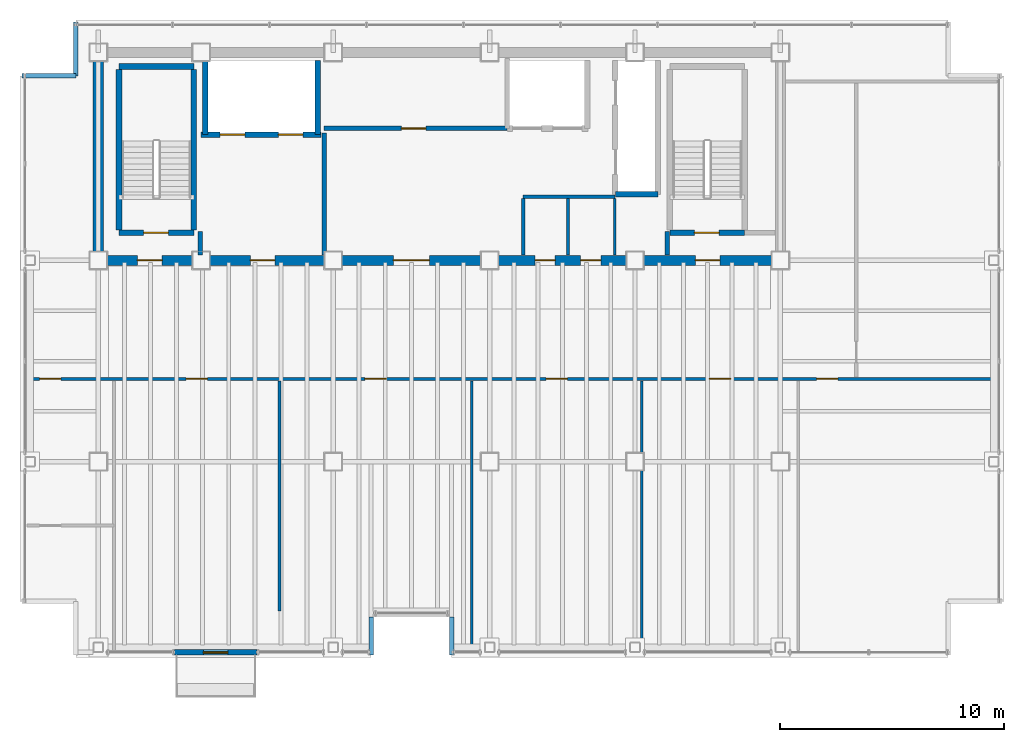
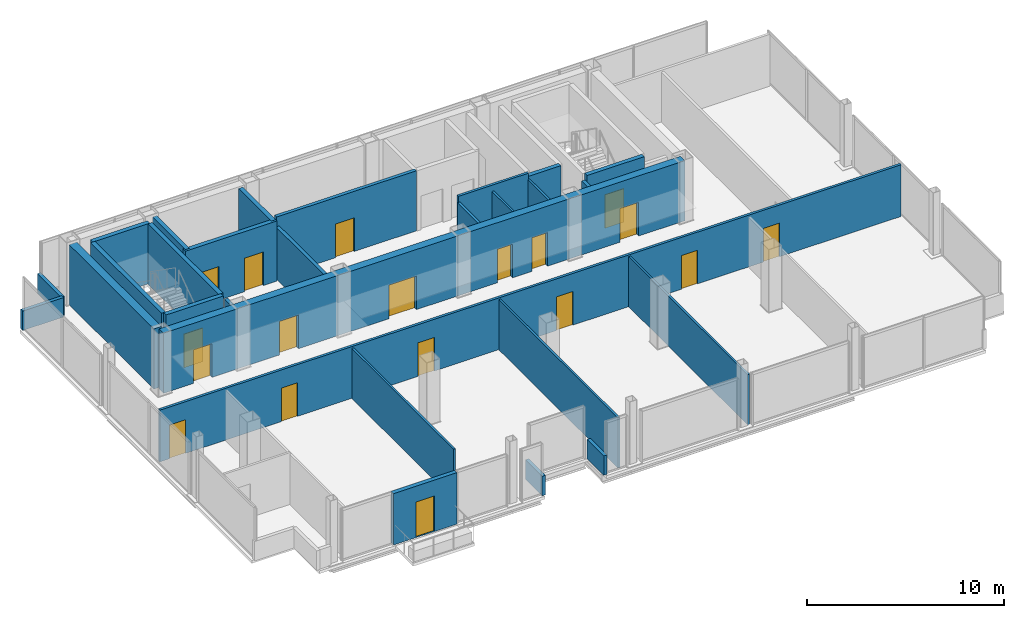
# One storey, part 13 of 15: 28 walls, 18 doors, 18 openings.
"""IFC4 building model written with IfcOpenShell, lengths in metres."""

from ifc_helpers import new_model, si_unit, direction, frame, frame_2d, origin, place, context, subcontext, project, spatial, rectangle, extrude, material, layer, layer_set, type_object, element, fill, save


model = new_model("IFC4")

# Units and contexts
model_context = context("Model", 3, precision=1e-05, world=origin(), true_north=direction((0.0, 1.0)))
body_context = subcontext(model_context, "Body", "Model", "MODEL_VIEW")
ifc_project = project(units=[si_unit("LENGTHUNIT", "METRE"), si_unit("AREAUNIT", "SQUARE_METRE"), si_unit("VOLUMEUNIT", "CUBIC_METRE"), si_unit("PLANEANGLEUNIT", "RADIAN"), si_unit("MASSUNIT", "GRAM", prefix="KILO")], contexts=[model_context])

# Site, building, storey
site_placement = place(None, origin())
site = spatial("IfcSite", under=ifc_project, at=site_placement, CompositionType="ELEMENT")
building_placement = place(site_placement, origin())
building = spatial("IfcBuilding", under=site, at=building_placement, Name="Noeulbin Bourse Tower", CompositionType="ELEMENT")
storey_placement = place(building_placement, frame((0.0, 0.0, 211.10009765625)))
storey = spatial("IfcBuildingStorey", under=building, at=storey_placement, Name="L52", CompositionType="ELEMENT", Elevation=211.10009765625)

# Wall, openings, doors
ifc_material_1 = material(Name="Concrete C50/60", Category="concrete")
ifc_layer_1 = layer(ifc_material_1, 0.449951171875)
ifc_layer_set_1 = layer_set([ifc_layer_1], Name="Concrete C50/60")
wall_type_1 = type_object("IfcWallType", Name="WAL-CORE-450", PredefinedType="SHEAR", material=ifc_layer_set_1)
wall_1_placement = place(storey_placement, frame((13.5, 29.0, 0.0), z_axis=(0.0, 0.0, 1.0), x_axis=(1.0, 0.0, 0.0)))
wall_1 = element("IfcWall", 1, at=wall_1_placement, inside=storey, type_object=wall_type_1, Name="Rear Core South Shear Wall L52", PredefinedType="SHEAR", context=body_context, shape_type="SweptSolid", body=[
    extrude(rectangle(XDim=30.5, YDim=0.449951171875, at=frame_2d((15.25, 0.0))), origin(), (0.0, 0.0, 1.0), 3.719970703125),
])
opening_1_placement = place(wall_1_placement, frame((1.75, 0.0, 0.0)))
opening_1 = element("IfcOpeningElement", 2, at=opening_1_placement, cuts=wall_1, Name="Opening FD-11", PredefinedType="OPENING", context=body_context, shape_type="SweptSolid", body=[
    extrude(rectangle(XDim=1.10009765625, YDim=2.080078125, at=frame_2d((0.550048828125, 1.0400390625))), frame((0.0, 0.23486328125, 0.0), z_axis=(0.0, -1.0, 0.0), x_axis=(1.0, 0.0, 0.0)), (0.0, 0.0, 1.0), 0.469970703125),
])
opening_2_placement = place(wall_1_placement, frame((26.699951171875, 0.0, 0.0)))
opening_2 = element("IfcOpeningElement", 3, at=opening_2_placement, cuts=wall_1, Name="Opening FD-11", PredefinedType="OPENING", context=body_context, shape_type="SweptSolid", body=[
    extrude(rectangle(XDim=1.10009765625, YDim=2.080078125, at=frame_2d((0.550048828125, 1.0400390625))), frame((0.0, 0.23486328125, 0.0), z_axis=(0.0, -1.0, 0.0), x_axis=(1.0, 0.0, 0.0)), (0.0, 0.0, 1.0), 0.469970703125),
])
opening_3_placement = place(wall_1_placement, frame((6.800048828125, 0.0, 0.0)))
opening_3 = element("IfcOpeningElement", 4, at=opening_3_placement, cuts=wall_1, Name="Opening FD-11", PredefinedType="OPENING", context=body_context, shape_type="SweptSolid", body=[
    extrude(rectangle(XDim=1.10009765625, YDim=2.080078125, at=frame_2d((0.550048828125, 1.0400390625))), frame((0.0, 0.23486328125, 0.0), z_axis=(0.0, -1.0, 0.0), x_axis=(1.0, 0.0, 0.0)), (0.0, 0.0, 1.0), 0.469970703125),
])
opening_4_placement = place(wall_1_placement, frame((13.199951171875, 0.0, 0.0)))
opening_4 = element("IfcOpeningElement", 5, at=opening_4_placement, cuts=wall_1, Name="Opening ID-16", PredefinedType="OPENING", context=body_context, shape_type="SweptSolid", body=[
    extrude(rectangle(XDim=1.60009765625, YDim=2.080078125, at=frame_2d((0.800048828125, 1.0400390625))), frame((0.0, 0.23486328125, 0.0), z_axis=(0.0, -1.0, 0.0), x_axis=(1.0, 0.0, 0.0)), (0.0, 0.0, 1.0), 0.469970703125),
])
opening_5_placement = place(wall_1_placement, frame((19.530029296875, 0.0, 0.0)))
opening_5 = element("IfcOpeningElement", 6, at=opening_5_placement, cuts=wall_1, Name="Opening FD-09", PredefinedType="OPENING", context=body_context, shape_type="SweptSolid", body=[
    extrude(rectangle(XDim=0.89990234375, YDim=2.080078125, at=frame_2d((0.449951171875, 1.0400390625))), frame((0.0, 0.23486328125, 0.0), z_axis=(0.0, -1.0, 0.0), x_axis=(1.0, 0.0, 0.0)), (0.0, 0.0, 1.0), 0.469970703125),
])
opening_6_placement = place(wall_1_placement, frame((21.570068359375, 0.0, 0.0)))
opening_6 = element("IfcOpeningElement", 7, at=opening_6_placement, cuts=wall_1, Name="Opening FD-09", PredefinedType="OPENING", context=body_context, shape_type="SweptSolid", body=[
    extrude(rectangle(XDim=0.89990234375, YDim=2.080078125, at=frame_2d((0.449951171875, 1.0400390625))), frame((0.0, 0.23486328125, 0.0), z_axis=(0.0, -1.0, 0.0), x_axis=(1.0, 0.0, 0.0)), (0.0, 0.0, 1.0), 0.469970703125),
])
ifc_material_2 = material(Name="Acoustic Glazed Aluminium", Category="aluminium")
door_type_1 = type_object("IfcDoorType", Name="DR-DBL-1600", OperationType="DOUBLE_DOOR_SINGLE_SWING", PredefinedType="DOOR", material=ifc_material_2)
door_1_placement = place(opening_4_placement, origin())
door_1 = element("IfcDoor", 8, at=door_1_placement, inside=storey, type_object=door_type_1, Name="Passenger Lift Lobby Portal L52", OperationType="DOUBLE_DOOR_SINGLE_SWING", OverallHeight=2.080078125, OverallWidth=1.60009765625, PredefinedType="DOOR", context=body_context, shape_type="SweptSolid", body=[
    extrude(rectangle(XDim=1.60009765625, YDim=2.080078125, at=frame_2d((0.800048828125, 1.0400390625))), frame((0.0, 0.02490234375, 0.0), z_axis=(0.0, -1.0, 0.0), x_axis=(1.0, 0.0, 0.0)), (0.0, 0.0, 1.0), 0.050048828125),
])
fill(opening_4, door_1)
ifc_material_3 = material(Name="Fire-Rated Timber Core", Category="wood")
door_type_2 = type_object("IfcDoorType", Name="DR-FD30-900", OperationType="SINGLE_SWING_RIGHT", PredefinedType="DOOR", material=ifc_material_3)
door_2_placement = place(opening_5_placement, origin())
door_2 = element("IfcDoor", 9, at=door_2_placement, inside=storey, type_object=door_type_2, Name="Interior Door L52-06", OperationType="SINGLE_SWING_RIGHT", OverallHeight=2.080078125, OverallWidth=0.89990234375, PredefinedType="DOOR", context=body_context, shape_type="SweptSolid", body=[
    extrude(rectangle(XDim=0.89990234375, YDim=2.080078125, at=frame_2d((0.449951171875, 1.0400390625))), frame((0.0, 0.02490234375, 0.0), z_axis=(0.0, -1.0, 0.0), x_axis=(1.0, 0.0, 0.0)), (0.0, 0.0, 1.0), 0.050048828125),
])
fill(opening_5, door_2)
door_3_placement = place(opening_6_placement, origin())
door_3 = element("IfcDoor", 10, at=door_3_placement, inside=storey, type_object=door_type_2, Name="Interior Door L52-07", OperationType="SINGLE_SWING_LEFT", OverallHeight=2.080078125, OverallWidth=0.89990234375, PredefinedType="DOOR", context=body_context, shape_type="SweptSolid", body=[
    extrude(rectangle(XDim=0.89990234375, YDim=2.080078125, at=frame_2d((0.449951171875, 1.0400390625))), frame((0.0, 0.02490234375, 0.0), z_axis=(0.0, -1.0, 0.0), x_axis=(1.0, 0.0, 0.0)), (0.0, 0.0, 1.0), 0.050048828125),
])
fill(opening_6, door_3)
ifc_material_4 = material(Name="Fire-Rated Insulated Steel", Category="steel")
door_type_3 = type_object("IfcDoorType", Name="DR-FD60-1100", OperationType="SINGLE_SWING_LEFT", PredefinedType="DOOR", material=ifc_material_4)
door_4_placement = place(opening_1_placement, origin())
door_4 = element("IfcDoor", 11, at=door_4_placement, inside=storey, type_object=door_type_3, Name="West Stair Lobby Door L52", OperationType="SINGLE_SWING_LEFT", OverallHeight=2.080078125, OverallWidth=1.10009765625, PredefinedType="DOOR", context=body_context, shape_type="SweptSolid", body=[
    extrude(rectangle(XDim=1.10009765625, YDim=2.080078125, at=frame_2d((0.550048828125, 1.0400390625))), frame((0.0, 0.02490234375, 0.0), z_axis=(0.0, -1.0, 0.0), x_axis=(1.0, 0.0, 0.0)), (0.0, 0.0, 1.0), 0.050048828125),
])
fill(opening_1, door_4)
door_5_placement = place(opening_2_placement, origin())
door_5 = element("IfcDoor", 12, at=door_5_placement, inside=storey, type_object=door_type_3, Name="East Stair Lobby Door L52", OperationType="SINGLE_SWING_RIGHT", OverallHeight=2.080078125, OverallWidth=1.10009765625, PredefinedType="DOOR", context=body_context, shape_type="SweptSolid", body=[
    extrude(rectangle(XDim=1.10009765625, YDim=2.080078125, at=frame_2d((0.550048828125, 1.0400390625))), frame((0.0, 0.02490234375, 0.0), z_axis=(0.0, -1.0, 0.0), x_axis=(1.0, 0.0, 0.0)), (0.0, 0.0, 1.0), 0.050048828125),
])
fill(opening_2, door_5)
door_6_placement = place(opening_3_placement, origin())
door_6 = element("IfcDoor", 13, at=door_6_placement, inside=storey, type_object=door_type_3, Name="Firefighting Lobby Door L52", OperationType="SINGLE_SWING_LEFT", OverallHeight=2.080078125, OverallWidth=1.10009765625, PredefinedType="DOOR", context=body_context, shape_type="SweptSolid", body=[
    extrude(rectangle(XDim=1.10009765625, YDim=2.080078125, at=frame_2d((0.550048828125, 1.0400390625))), frame((0.0, 0.02490234375, 0.0), z_axis=(0.0, -1.0, 0.0), x_axis=(1.0, 0.0, 0.0)), (0.0, 0.0, 1.0), 0.050048828125),
])
fill(opening_3, door_6)

# Wall
wall_2_placement = place(storey_placement, frame((13.5, 29.35009765625, 0.0), z_axis=(0.0, 0.0, 1.0), x_axis=(0.0, 1.0, 0.0)))
element("IfcWall", 14, at=wall_2_placement, inside=storey, type_object=wall_type_1, Name="Rear Core West Shear Wall L52", PredefinedType="SHEAR", context=body_context, shape_type="SweptSolid", body=[
    extrude(rectangle(XDim=8.599853515625, YDim=0.449951171875, at=frame_2d((4.2998046875, 0.0))), origin(), (0.0, 0.0, 1.0), 3.719970703125),
])

# Wall, opening, door
ifc_material_5 = material(Name="Precast Concrete C40/50", Category="concrete")
ifc_layer_2 = layer(ifc_material_5, 0.25)
ifc_layer_set_2 = layer_set([ifc_layer_2], Name="Precast Concrete C40/50")
wall_type_2 = type_object("IfcWallType", Name="WAL-EXT-250", PredefinedType="STANDARD", material=ifc_layer_set_2)
wall_3_placement = place(storey_placement, frame((16.89990234375, 11.469970703125, 0.0), z_axis=(0.0, 0.0, 1.0), x_axis=(1.0, 0.0, 0.0)))
wall_3 = element("IfcWall", 15, at=wall_3_placement, inside=storey, type_object=wall_type_2, Name="Balcony Threshold Wall L52", PredefinedType="STANDARD", context=body_context, shape_type="SweptSolid", body=[
    extrude(rectangle(XDim=3.7001953125, YDim=0.25, at=frame_2d((1.85009765625, 0.0))), origin(), (0.0, 0.0, 1.0), 3.179931640625),
])
opening_7_placement = place(wall_3_placement, frame((1.300048828125, 0.0, 0.0)))
opening_7 = element("IfcOpeningElement", 16, at=opening_7_placement, cuts=wall_3, Name="Opening BD-11", PredefinedType="OPENING", context=body_context, shape_type="SweptSolid", body=[
    extrude(rectangle(XDim=1.10009765625, YDim=2.199951171875, at=frame_2d((0.550048828125, 1.10009765625))), frame((0.0, 0.135009765625, 0.0), z_axis=(0.0, -1.0, 0.0), x_axis=(1.0, 0.0, 0.0)), (0.0, 0.0, 1.0), 0.27001953125),
])
ifc_material_6 = material(Name="Thermally Broken Aluminium Framed Glass", Category="aluminium")
door_type_4 = type_object("IfcDoorType", Name="DR-BAL-1100", OperationType="SINGLE_SWING_LEFT", PredefinedType="DOOR", material=ifc_material_6)
door_7_placement = place(opening_7_placement, origin())
door_7 = element("IfcDoor", 17, at=door_7_placement, inside=storey, type_object=door_type_4, Name="Tree-Balcony Access Door BD-L52", OperationType="SINGLE_SWING_RIGHT", OverallHeight=2.199951171875, OverallWidth=1.10009765625, PredefinedType="DOOR", context=body_context, shape_type="SweptSolid", body=[
    extrude(rectangle(XDim=1.10009765625, YDim=2.199951171875, at=frame_2d((0.550048828125, 1.10009765625))), frame((0.0, 0.02490234375, 0.0), z_axis=(0.0, -1.0, 0.0), x_axis=(1.0, 0.0, 0.0)), (0.0, 0.0, 1.0), 0.050048828125),
])
fill(opening_7, door_7)

ifc_material_7 = material(Name="Concrete C40/50", Category="concrete")
ifc_layer_3 = layer(ifc_material_7, 0.199951171875)
ifc_layer_set_3 = layer_set([ifc_layer_3], Name="Concrete C40/50")
wall_type_3 = type_object("IfcWallType", Name="WAL-FIRE-200", PredefinedType="STANDARD", material=ifc_layer_set_3)
wall_4_placement = place(storey_placement, frame((23.60009765625, 34.89990234375, 0.0), z_axis=(0.0, 0.0, 1.0), x_axis=(1.0, 0.0, 0.0)))
wall_4 = element("IfcWall", 18, at=wall_4_placement, inside=storey, type_object=wall_type_3, Name="Interior Partition Wall L52-02", PredefinedType="STANDARD", context=body_context, shape_type="SweptSolid", body=[
    extrude(rectangle(XDim=8.179931640625, YDim=0.199951171875, at=frame_2d((4.08984375, 0.0))), origin(), (0.0, 0.0, 1.0), 3.719970703125),
])
opening_8_placement = place(wall_4_placement, frame((3.449951171875, 0.0, 0.0)))
opening_8 = element("IfcOpeningElement", 19, at=opening_8_placement, cuts=wall_4, Name="Opening FD-11", PredefinedType="OPENING", context=body_context, shape_type="SweptSolid", body=[
    extrude(rectangle(XDim=1.10009765625, YDim=2.080078125, at=frame_2d((0.550048828125, 1.0400390625))), frame((0.0, 0.10986328125, 0.0), z_axis=(0.0, -1.0, 0.0), x_axis=(1.0, 0.0, 0.0)), (0.0, 0.0, 1.0), 0.219970703125),
])
door_8_placement = place(opening_8_placement, origin())
door_8 = element("IfcDoor", 20, at=door_8_placement, inside=storey, type_object=door_type_3, Name="Telemetry Server Door L52", OperationType="SINGLE_SWING_LEFT", OverallHeight=2.080078125, OverallWidth=1.10009765625, PredefinedType="DOOR", context=body_context, shape_type="SweptSolid", body=[
    extrude(rectangle(XDim=1.10009765625, YDim=2.080078125, at=frame_2d((0.550048828125, 1.0400390625))), frame((0.0, 0.02490234375, 0.0), z_axis=(0.0, -1.0, 0.0), x_axis=(1.0, 0.0, 0.0)), (0.0, 0.0, 1.0), 0.050048828125),
])
fill(opening_8, door_8)

# Walls
for number, where, z_axis, x_axis, name in (
    (21, (18.050048828125, 29.235107421875, 0.0), (0.0, 0.0, 1.0), (0.0, 1.0, 0.0), "Interior Partition Wall L52-07"),
    (22, (38.949951171875, 29.235107421875, 0.0), (0.0, 0.0, 1.0), (0.0, 1.0, 0.0), "Interior Partition Wall L52-08"),
):
    element("IfcWall", number, at=place(storey_placement, frame(where, z_axis=z_axis, x_axis=x_axis)), inside=storey, type_object=wall_type_3, Name=name, PredefinedType="STANDARD", context=body_context, shape_type="SweptSolid", body=[
        extrude(rectangle(XDim=1.06494140625, YDim=0.199951171875, at=frame_2d((0.532470703125, 0.0))), origin(), (0.0, 0.0, 1.0), 3.349853515625),
    ])
wall_5_placement = place(storey_placement, frame((23.60009765625, 29.235107421875, 0.0), z_axis=(0.0, 0.0, 1.0), x_axis=(0.0, 1.0, 0.0)))
element("IfcWall", 23, at=wall_5_placement, inside=storey, type_object=wall_type_3, Name="Interior Partition Wall L52-09", PredefinedType="STANDARD", context=body_context, shape_type="SweptSolid", body=[
    extrude(rectangle(XDim=5.46484375, YDim=0.199951171875, at=frame_2d((2.732421875, 0.0))), origin(), (0.0, 0.0, 1.0), 3.199951171875),
])
ifc_layer_4 = layer(ifc_material_7, 0.199951171875)
ifc_layer_set_4 = layer_set([ifc_layer_4], Name="Concrete C40/50")
wall_type_4 = type_object("IfcWallType", Name="WAL-PAR-200", PredefinedType="PARAPET", material=ifc_layer_set_4)
for number, where, z_axis, x_axis, name in (
    (24, (10.10009765625, 37.25, 0.0), (0.0, 0.0, 1.0), (1.0, 0.0, 0.0), "Corner Notch Parapet L52-NW1"),
    (25, (12.5, 37.25, 0.0), (0.0, 0.0, 1.0), (0.0, 1.0, 0.0), "Corner Notch Parapet L52-NW2"),
):
    element("IfcWall", number, at=place(storey_placement, frame(where, z_axis=z_axis, x_axis=x_axis)), inside=storey, type_object=wall_type_4, Name=name, PredefinedType="PARAPET", context=body_context, shape_type="SweptSolid", body=[
        extrude(rectangle(XDim=2.39990234375, YDim=0.199951171875, at=frame_2d((1.199951171875, 0.0))), origin(), (0.0, 0.0, 1.0), 1.199951171875),
    ])
for number, where, z_axis, x_axis, name in (
    (26, (25.699951171875, 11.35009765625, 0.0), (0.0, 0.0, 1.0), (0.0, 1.0, 0.0), "Sky-Garden Recess Parapet L52-W"),
    (27, (29.300048828125, 13.050048828125, 0.0), (0.0, 0.0, 1.0), (0.0, -1.0, 0.0), "Sky-Garden Recess Parapet L52-E"),
):
    element("IfcWall", number, at=place(storey_placement, frame(where, z_axis=z_axis, x_axis=x_axis)), inside=storey, type_object=wall_type_4, Name=name, PredefinedType="PARAPET", context=body_context, shape_type="SweptSolid", body=[
        extrude(rectangle(XDim=1.699951171875, YDim=0.199951171875, at=frame_2d((0.85009765625, 0.0))), origin(), (0.0, 0.0, 1.0), 1.199951171875),
    ])
ifc_material_8 = material(Name="Steel Stud Gypsum Partition", Category="steel")
ifc_layer_5 = layer(ifc_material_8, 0.1201171875)
ifc_layer_set_5 = layer_set([ifc_layer_5], Name="Steel Stud Gypsum Partition")
wall_type_5 = type_object("IfcWallType", Name="WAL-PRT-120", PredefinedType="PARTITIONING", material=ifc_layer_set_5)
for number, where, z_axis, x_axis, name in (
    (28, (36.60009765625, 29.235107421875, 0.0), (0.0, 0.0, 1.0), (0.0, 1.0, 0.0), "Interior Partition Wall L52-11"),
    (29, (34.5, 29.235107421875, 0.0), (0.0, 0.0, 1.0), (0.0, 1.0, 0.0), "Interior Partition Wall L52-12"),
):
    element("IfcWall", number, at=place(storey_placement, frame(where, z_axis=z_axis, x_axis=x_axis)), inside=storey, type_object=wall_type_5, Name=name, PredefinedType="PARTITIONING", context=body_context, shape_type="SweptSolid", body=[
        extrude(rectangle(XDim=2.52978515625, YDim=0.1201171875, at=frame_2d((1.264892578125, 0.0))), origin(), (0.0, 0.0, 1.0), 3.349853515625),
    ])
wall_6_placement = place(storey_placement, frame((21.60009765625, 13.320068359375, 0.0), z_axis=(0.0, 0.0, 1.0), x_axis=(0.0, 1.0, 0.0)))
element("IfcWall", 30, at=wall_6_placement, inside=storey, type_object=wall_type_5, Name="Interior Partition Wall L52-15", PredefinedType="PARTITIONING", context=body_context, shape_type="SweptSolid", body=[
    extrude(rectangle(XDim=10.294921875, YDim=0.1201171875, at=frame_2d((5.1474609375, 0.0))), origin(), (0.0, 0.0, 1.0), 3.099853515625),
])
for number, where, z_axis, x_axis, name in (
    (31, (30.199951171875, 11.56005859375, 0.0), (0.0, 0.0, 1.0), (0.0, 1.0, 0.0), "Interior Partition Wall L52-16"),
    (32, (37.800048828125, 11.56005859375, 0.0), (0.0, 0.0, 1.0), (0.0, 1.0, 0.0), "Interior Partition Wall L52-17"),
):
    element("IfcWall", number, at=place(storey_placement, frame(where, z_axis=z_axis, x_axis=x_axis)), inside=storey, type_object=wall_type_5, Name=name, PredefinedType="PARTITIONING", context=body_context, shape_type="SweptSolid", body=[
        extrude(rectangle(XDim=12.054931640625, YDim=0.1201171875, at=frame_2d((6.02734375, 0.0))), origin(), (0.0, 0.0, 1.0), 3.099853515625),
    ])
ifc_material_9 = material(Name="Steel Stud Acoustic Gypsum Board", Category="steel")
ifc_layer_6 = layer(ifc_material_9, 0.14990234375)
ifc_layer_set_6 = layer_set([ifc_layer_6], Name="Steel Stud Acoustic Gypsum Board")
wall_type_6 = type_object("IfcWallType", Name="WAL-PRT-150", PredefinedType="PARTITIONING", material=ifc_layer_set_6)
wall_7_placement = place(storey_placement, frame((32.5, 31.85009765625, 0.0), z_axis=(0.0, 0.0, 1.0), x_axis=(1.0, 0.0, 0.0)))
element("IfcWall", 33, at=wall_7_placement, inside=storey, type_object=wall_type_6, Name="Interior Partition Wall L52-03", PredefinedType="PARTITIONING", context=body_context, shape_type="SweptSolid", body=[
    extrude(rectangle(XDim=4.10009765625, YDim=0.14990234375, at=frame_2d((2.050048828125, 0.0))), origin(), (0.0, 0.0, 1.0), 3.719970703125),
])

# Wall, openings, doors
wall_8_placement = place(storey_placement, frame((10.31005859375, 23.699951171875, 0.0), z_axis=(0.0, 0.0, 1.0), x_axis=(1.0, 0.0, 0.0)))
wall_8 = element("IfcWall", 34, at=wall_8_placement, inside=storey, type_object=wall_type_6, Name="Interior Partition Wall L52-04", PredefinedType="PARTITIONING", context=body_context, shape_type="SweptSolid", body=[
    extrude(rectangle(XDim=43.3798828125, YDim=0.14990234375, at=frame_2d((21.68994140625, 0.0))), origin(), (0.0, 0.0, 1.0), 3.199951171875),
])
opening_9_placement = place(wall_8_placement, frame((0.570068359375, 0.0, 0.0)))
opening_9 = element("IfcOpeningElement", 35, at=opening_9_placement, cuts=wall_8, Name="Opening ID-09", PredefinedType="OPENING", context=body_context, shape_type="SweptSolid", body=[
    extrude(rectangle(XDim=0.949951171875, YDim=2.080078125, at=frame_2d((0.47509765625, 1.0400390625))), frame((0.0, 0.0849609375, 0.0), z_axis=(0.0, -1.0, 0.0), x_axis=(1.0, 0.0, 0.0)), (0.0, 0.0, 1.0), 0.169921875),
])
opening_10_placement = place(wall_8_placement, frame((7.114990234375, 0.0, 0.0)))
opening_10 = element("IfcOpeningElement", 36, at=opening_10_placement, cuts=wall_8, Name="Opening ID-09", PredefinedType="OPENING", context=body_context, shape_type="SweptSolid", body=[
    extrude(rectangle(XDim=0.949951171875, YDim=2.080078125, at=frame_2d((0.47509765625, 1.0400390625))), frame((0.0, 0.0849609375, 0.0), z_axis=(0.0, -1.0, 0.0), x_axis=(1.0, 0.0, 0.0)), (0.0, 0.0, 1.0), 0.169921875),
])
opening_11_placement = place(wall_8_placement, frame((15.114990234375, 0.0, 0.0)))
opening_11 = element("IfcOpeningElement", 37, at=opening_11_placement, cuts=wall_8, Name="Opening ID-09", PredefinedType="OPENING", context=body_context, shape_type="SweptSolid", body=[
    extrude(rectangle(XDim=0.949951171875, YDim=2.080078125, at=frame_2d((0.47509765625, 1.0400390625))), frame((0.0, 0.0849609375, 0.0), z_axis=(0.0, -1.0, 0.0), x_axis=(1.0, 0.0, 0.0)), (0.0, 0.0, 1.0), 0.169921875),
])
opening_12_placement = place(wall_8_placement, frame((23.215087890625, 0.0, 0.0)))
opening_12 = element("IfcOpeningElement", 38, at=opening_12_placement, cuts=wall_8, Name="Opening ID-09", PredefinedType="OPENING", context=body_context, shape_type="SweptSolid", body=[
    extrude(rectangle(XDim=0.949951171875, YDim=2.080078125, at=frame_2d((0.47509765625, 1.0400390625))), frame((0.0, 0.0849609375, 0.0), z_axis=(0.0, -1.0, 0.0), x_axis=(1.0, 0.0, 0.0)), (0.0, 0.0, 1.0), 0.169921875),
])
opening_13_placement = place(wall_8_placement, frame((30.514892578125, 0.0, 0.0)))
opening_13 = element("IfcOpeningElement", 39, at=opening_13_placement, cuts=wall_8, Name="Opening ID-09", PredefinedType="OPENING", context=body_context, shape_type="SweptSolid", body=[
    extrude(rectangle(XDim=0.949951171875, YDim=2.080078125, at=frame_2d((0.47509765625, 1.0400390625))), frame((0.0, 0.0849609375, 0.0), z_axis=(0.0, -1.0, 0.0), x_axis=(1.0, 0.0, 0.0)), (0.0, 0.0, 1.0), 0.169921875),
])
opening_14_placement = place(wall_8_placement, frame((35.31494140625, 0.0, 0.0)))
opening_14 = element("IfcOpeningElement", 40, at=opening_14_placement, cuts=wall_8, Name="Opening ID-09", PredefinedType="OPENING", context=body_context, shape_type="SweptSolid", body=[
    extrude(rectangle(XDim=0.949951171875, YDim=2.080078125, at=frame_2d((0.47509765625, 1.0400390625))), frame((0.0, 0.0849609375, 0.0), z_axis=(0.0, -1.0, 0.0), x_axis=(1.0, 0.0, 0.0)), (0.0, 0.0, 1.0), 0.169921875),
])
ifc_material_10 = material(Name="Acoustic Solid-Core Timber", Category="wood")
door_type_5 = type_object("IfcDoorType", Name="DR-SINGLE-950", OperationType="SINGLE_SWING_LEFT", PredefinedType="DOOR", material=ifc_material_10)
door_9_placement = place(opening_9_placement, origin())
door_9 = element("IfcDoor", 41, at=door_9_placement, inside=storey, type_object=door_type_5, Name="Interior Door L52-09", OperationType="SINGLE_SWING_LEFT", OverallHeight=2.080078125, OverallWidth=0.949951171875, PredefinedType="DOOR", context=body_context, shape_type="SweptSolid", body=[
    extrude(rectangle(XDim=0.949951171875, YDim=2.080078125, at=frame_2d((0.47509765625, 1.0400390625))), frame((0.0, 0.02490234375, 0.0), z_axis=(0.0, -1.0, 0.0), x_axis=(1.0, 0.0, 0.0)), (0.0, 0.0, 1.0), 0.050048828125),
])
fill(opening_9, door_9)
door_10_placement = place(opening_10_placement, origin())
door_10 = element("IfcDoor", 42, at=door_10_placement, inside=storey, type_object=door_type_5, Name="Interior Door L52-10", OperationType="SINGLE_SWING_RIGHT", OverallHeight=2.080078125, OverallWidth=0.949951171875, PredefinedType="DOOR", context=body_context, shape_type="SweptSolid", body=[
    extrude(rectangle(XDim=0.949951171875, YDim=2.080078125, at=frame_2d((0.47509765625, 1.0400390625))), frame((0.0, 0.02490234375, 0.0), z_axis=(0.0, -1.0, 0.0), x_axis=(1.0, 0.0, 0.0)), (0.0, 0.0, 1.0), 0.050048828125),
])
fill(opening_10, door_10)
door_11_placement = place(opening_11_placement, origin())
door_11 = element("IfcDoor", 43, at=door_11_placement, inside=storey, type_object=door_type_5, Name="Interior Door L52-11", OperationType="SINGLE_SWING_LEFT", OverallHeight=2.080078125, OverallWidth=0.949951171875, PredefinedType="DOOR", context=body_context, shape_type="SweptSolid", body=[
    extrude(rectangle(XDim=0.949951171875, YDim=2.080078125, at=frame_2d((0.47509765625, 1.0400390625))), frame((0.0, 0.02490234375, 0.0), z_axis=(0.0, -1.0, 0.0), x_axis=(1.0, 0.0, 0.0)), (0.0, 0.0, 1.0), 0.050048828125),
])
fill(opening_11, door_11)
door_12_placement = place(opening_12_placement, origin())
door_12 = element("IfcDoor", 44, at=door_12_placement, inside=storey, type_object=door_type_5, Name="Interior Door L52-12", OperationType="SINGLE_SWING_RIGHT", OverallHeight=2.080078125, OverallWidth=0.949951171875, PredefinedType="DOOR", context=body_context, shape_type="SweptSolid", body=[
    extrude(rectangle(XDim=0.949951171875, YDim=2.080078125, at=frame_2d((0.47509765625, 1.0400390625))), frame((0.0, 0.02490234375, 0.0), z_axis=(0.0, -1.0, 0.0), x_axis=(1.0, 0.0, 0.0)), (0.0, 0.0, 1.0), 0.050048828125),
])
fill(opening_12, door_12)
door_13_placement = place(opening_13_placement, origin())
door_13 = element("IfcDoor", 45, at=door_13_placement, inside=storey, type_object=door_type_5, Name="Interior Door L52-13", OperationType="SINGLE_SWING_LEFT", OverallHeight=2.080078125, OverallWidth=0.949951171875, PredefinedType="DOOR", context=body_context, shape_type="SweptSolid", body=[
    extrude(rectangle(XDim=0.949951171875, YDim=2.080078125, at=frame_2d((0.47509765625, 1.0400390625))), frame((0.0, 0.02490234375, 0.0), z_axis=(0.0, -1.0, 0.0), x_axis=(1.0, 0.0, 0.0)), (0.0, 0.0, 1.0), 0.050048828125),
])
fill(opening_13, door_13)
door_14_placement = place(opening_14_placement, origin())
door_14 = element("IfcDoor", 46, at=door_14_placement, inside=storey, type_object=door_type_5, Name="Interior Door L52-14", OperationType="SINGLE_SWING_RIGHT", OverallHeight=2.080078125, OverallWidth=0.949951171875, PredefinedType="DOOR", context=body_context, shape_type="SweptSolid", body=[
    extrude(rectangle(XDim=0.949951171875, YDim=2.080078125, at=frame_2d((0.47509765625, 1.0400390625))), frame((0.0, 0.02490234375, 0.0), z_axis=(0.0, -1.0, 0.0), x_axis=(1.0, 0.0, 0.0)), (0.0, 0.0, 1.0), 0.050048828125),
])
fill(opening_14, door_14)

# Wall
wall_9_placement = place(storey_placement, frame((32.5, 29.235107421875, 0.0), z_axis=(0.0, 0.0, 1.0), x_axis=(0.0, 1.0, 0.0)))
element("IfcWall", 47, at=wall_9_placement, inside=storey, type_object=wall_type_6, Name="Interior Partition Wall L52-10", PredefinedType="PARTITIONING", context=body_context, shape_type="SweptSolid", body=[
    extrude(rectangle(XDim=2.52978515625, YDim=0.14990234375, at=frame_2d((1.264892578125, 0.0))), origin(), (0.0, 0.0, 1.0), 3.349853515625),
])

# Wall, opening, door
ifc_layer_7 = layer(ifc_material_7, 0.25)
ifc_layer_set_7 = layer_set([ifc_layer_7], Name="Concrete C40/50")
wall_type_7 = type_object("IfcWallType", Name="WAL-SHFT-250", PredefinedType="STANDARD", material=ifc_layer_set_7)
wall_10_placement = place(storey_placement, frame((14.429931640625, 30.235107421875, 0.0), z_axis=(0.0, 0.0, 1.0), x_axis=(1.0, 0.0, 0.0)))
wall_10 = element("IfcWall", 48, at=wall_10_placement, inside=storey, type_object=wall_type_7, Name="Stair ST-1 South Shaft Wall L52", PredefinedType="STANDARD", context=body_context, shape_type="SweptSolid", body=[
    extrude(rectangle(XDim=3.340087890625, YDim=0.25, at=frame_2d((1.669921875, 0.0))), origin(), (0.0, 0.0, 1.0), 3.719970703125),
])
opening_15_placement = place(wall_10_placement, frame((1.10009765625, 0.0, 0.0)))
opening_15 = element("IfcOpeningElement", 49, at=opening_15_placement, cuts=wall_10, Name="Opening FD-11", PredefinedType="OPENING", context=body_context, shape_type="SweptSolid", body=[
    extrude(rectangle(XDim=1.10009765625, YDim=2.080078125, at=frame_2d((0.550048828125, 1.0400390625))), frame((0.0, 0.135009765625, 0.0), z_axis=(0.0, -1.0, 0.0), x_axis=(1.0, 0.0, 0.0)), (0.0, 0.0, 1.0), 0.27001953125),
])
door_15_placement = place(opening_15_placement, origin())
door_15 = element("IfcDoor", 50, at=door_15_placement, inside=storey, type_object=door_type_3, Name="Protected Stair Entry Door ST1-L52", OperationType="SINGLE_SWING_LEFT", OverallHeight=2.080078125, OverallWidth=1.10009765625, PredefinedType="DOOR", context=body_context, shape_type="SweptSolid", body=[
    extrude(rectangle(XDim=1.10009765625, YDim=2.080078125, at=frame_2d((0.550048828125, 1.0400390625))), frame((0.0, 0.02490234375, 0.0), z_axis=(0.0, -1.0, 0.0), x_axis=(1.0, 0.0, 0.0)), (0.0, 0.0, 1.0), 0.050048828125),
])
fill(opening_15, door_15)

# Walls
wall_11_placement = place(storey_placement, frame((14.429931640625, 37.6689453125, 0.0), z_axis=(0.0, 0.0, 1.0), x_axis=(1.0, 0.0, 0.0)))
element("IfcWall", 51, at=wall_11_placement, inside=storey, type_object=wall_type_7, Name="Stair ST-1 North Shaft Wall L52", PredefinedType="STANDARD", context=body_context, shape_type="SweptSolid", body=[
    extrude(rectangle(XDim=3.340087890625, YDim=0.25, at=frame_2d((1.669921875, 0.0))), origin(), (0.0, 0.0, 1.0), 3.719970703125),
])
for number, where, z_axis, x_axis, name in (
    (52, (14.425048828125, 30.360107421875, 0.0), (0.0, 0.0, 1.0), (0.0, 1.0, 0.0), "Stair ST-1 West Shaft Wall L52"),
    (53, (17.77490234375, 30.360107421875, 0.0), (0.0, 0.0, 1.0), (0.0, 1.0, 0.0), "Stair ST-1 East Shaft Wall L52"),
):
    element("IfcWall", number, at=place(storey_placement, frame(where, z_axis=z_axis, x_axis=x_axis)), inside=storey, type_object=wall_type_7, Name=name, PredefinedType="STANDARD", context=body_context, shape_type="SweptSolid", body=[
        extrude(rectangle(XDim=7.183837890625, YDim=0.25, at=frame_2d((3.591796875, 0.0))), origin(), (0.0, 0.0, 1.0), 3.719970703125),
    ])

# Wall, opening, door
wall_12_placement = place(storey_placement, frame((39.06005859375, 30.235107421875, 0.0), z_axis=(0.0, 0.0, 1.0), x_axis=(1.0, 0.0, 0.0)))
wall_12 = element("IfcWall", 54, at=wall_12_placement, inside=storey, type_object=wall_type_7, Name="Stair ST-2 South Shaft Wall L52", PredefinedType="STANDARD", context=body_context, shape_type="SweptSolid", body=[
    extrude(rectangle(XDim=3.33984375, YDim=0.25, at=frame_2d((1.669921875, 0.0))), origin(), (0.0, 0.0, 1.0), 3.719970703125),
])
opening_16_placement = place(wall_12_placement, frame((1.10009765625, 0.0, 0.0)))
opening_16 = element("IfcOpeningElement", 55, at=opening_16_placement, cuts=wall_12, Name="Opening FD-11", PredefinedType="OPENING", context=body_context, shape_type="SweptSolid", body=[
    extrude(rectangle(XDim=1.10009765625, YDim=2.080078125, at=frame_2d((0.550048828125, 1.0400390625))), frame((0.0, 0.135009765625, 0.0), z_axis=(0.0, -1.0, 0.0), x_axis=(1.0, 0.0, 0.0)), (0.0, 0.0, 1.0), 0.27001953125),
])
door_16_placement = place(opening_16_placement, origin())
door_16 = element("IfcDoor", 56, at=door_16_placement, inside=storey, type_object=door_type_3, Name="Protected Stair Entry Door ST2-L52", OperationType="SINGLE_SWING_RIGHT", OverallHeight=2.080078125, OverallWidth=1.10009765625, PredefinedType="DOOR", context=body_context, shape_type="SweptSolid", body=[
    extrude(rectangle(XDim=1.10009765625, YDim=2.080078125, at=frame_2d((0.550048828125, 1.0400390625))), frame((0.0, 0.02490234375, 0.0), z_axis=(0.0, -1.0, 0.0), x_axis=(1.0, 0.0, 0.0)), (0.0, 0.0, 1.0), 0.050048828125),
])
fill(opening_16, door_16)

# Wall, openings, doors
wall_13_placement = place(storey_placement, frame((18.10009765625, 34.6201171875, 0.0), z_axis=(0.0, 0.0, 1.0), x_axis=(1.0, 0.0, 0.0)))
wall_13 = element("IfcWall", 57, at=wall_13_placement, inside=storey, type_object=wall_type_7, Name="Firefighting Lift Shaft Front L52", PredefinedType="STANDARD", context=body_context, shape_type="SweptSolid", body=[
    extrude(rectangle(XDim=5.349853515625, YDim=0.25, at=frame_2d((2.6748046875, 0.0))), origin(), (0.0, 0.0, 1.0), 3.719970703125),
])
opening_17_placement = place(wall_13_placement, frame((0.85009765625, 0.0, 0.0)))
opening_17 = element("IfcOpeningElement", 58, at=opening_17_placement, cuts=wall_13, Name="Opening LD-11", PredefinedType="OPENING", context=body_context, shape_type="SweptSolid", body=[
    extrude(rectangle(XDim=1.10009765625, YDim=2.080078125, at=frame_2d((0.550048828125, 1.0400390625))), frame((0.0, 0.135009765625, 0.0), z_axis=(0.0, -1.0, 0.0), x_axis=(1.0, 0.0, 0.0)), (0.0, 0.0, 1.0), 0.27001953125),
])
opening_18_placement = place(wall_13_placement, frame((3.449951171875, 0.0, 0.0)))
opening_18 = element("IfcOpeningElement", 59, at=opening_18_placement, cuts=wall_13, Name="Opening LD-11", PredefinedType="OPENING", context=body_context, shape_type="SweptSolid", body=[
    extrude(rectangle(XDim=1.10009765625, YDim=2.080078125, at=frame_2d((0.550048828125, 1.0400390625))), frame((0.0, 0.135009765625, 0.0), z_axis=(0.0, -1.0, 0.0), x_axis=(1.0, 0.0, 0.0)), (0.0, 0.0, 1.0), 0.27001953125),
])
ifc_material_11 = material(Name="Brushed Stainless Steel 316", Category="steel")
door_type_6 = type_object("IfcDoorType", Name="DR-LIFT-1100", OperationType="SLIDING_TO_LEFT", PredefinedType="DOOR", material=ifc_material_11)
door_17_placement = place(opening_17_placement, origin())
door_17 = element("IfcDoor", 60, at=door_17_placement, inside=storey, type_object=door_type_6, Name="Lift Landing Door LD-FL-01-L52", OperationType="SLIDING_TO_LEFT", OverallHeight=2.080078125, OverallWidth=1.10009765625, PredefinedType="DOOR", context=body_context, shape_type="SweptSolid", body=[
    extrude(rectangle(XDim=1.10009765625, YDim=2.080078125, at=frame_2d((0.550048828125, 1.0400390625))), frame((0.0, 0.02490234375, 0.0), z_axis=(0.0, -1.0, 0.0), x_axis=(1.0, 0.0, 0.0)), (0.0, 0.0, 1.0), 0.050048828125),
])
fill(opening_17, door_17)
door_18_placement = place(opening_18_placement, origin())
door_18 = element("IfcDoor", 61, at=door_18_placement, inside=storey, type_object=door_type_6, Name="Lift Landing Door LD-FL-02-L52", OperationType="SLIDING_TO_LEFT", OverallHeight=2.080078125, OverallWidth=1.10009765625, PredefinedType="DOOR", context=body_context, shape_type="SweptSolid", body=[
    extrude(rectangle(XDim=1.10009765625, YDim=2.080078125, at=frame_2d((0.550048828125, 1.0400390625))), frame((0.0, 0.02490234375, 0.0), z_axis=(0.0, -1.0, 0.0), x_axis=(1.0, 0.0, 0.0)), (0.0, 0.0, 1.0), 0.050048828125),
])
fill(opening_18, door_18)

# Walls
wall_14_placement = place(storey_placement, frame((36.6201171875, 31.949951171875, 0.0), z_axis=(0.0, 0.0, 1.0), x_axis=(1.0, 0.0, 0.0)))
element("IfcWall", 62, at=wall_14_placement, inside=storey, type_object=wall_type_7, Name="Service Lift South Shaft Wall L52", PredefinedType="STANDARD", context=body_context, shape_type="SweptSolid", body=[
    extrude(rectangle(XDim=1.89990234375, YDim=0.25, at=frame_2d((0.949951171875, 0.0))), origin(), (0.0, 0.0, 1.0), 3.47998046875),
])
for number, where, z_axis, x_axis, name in (
    (63, (18.280029296875, 34.6201171875, 0.0), (0.0, 0.0, 1.0), (0.0, 1.0, 0.0), "Firefighting Lift West Shaft Wall L52"),
    (64, (23.320068359375, 34.6201171875, 0.0), (0.0, 0.0, 1.0), (0.0, 1.0, 0.0), "Firefighting Lift East Shaft Wall L52"),
):
    element("IfcWall", number, at=place(storey_placement, frame(where, z_axis=z_axis, x_axis=x_axis)), inside=storey, type_object=wall_type_7, Name=name, PredefinedType="STANDARD", context=body_context, shape_type="SweptSolid", body=[
        extrude(rectangle(XDim=3.329833984375, YDim=0.25, at=frame_2d((1.6650390625, 0.0))), origin(), (0.0, 0.0, 1.0), 3.719970703125),
    ])

save(model, "model.ifc")
